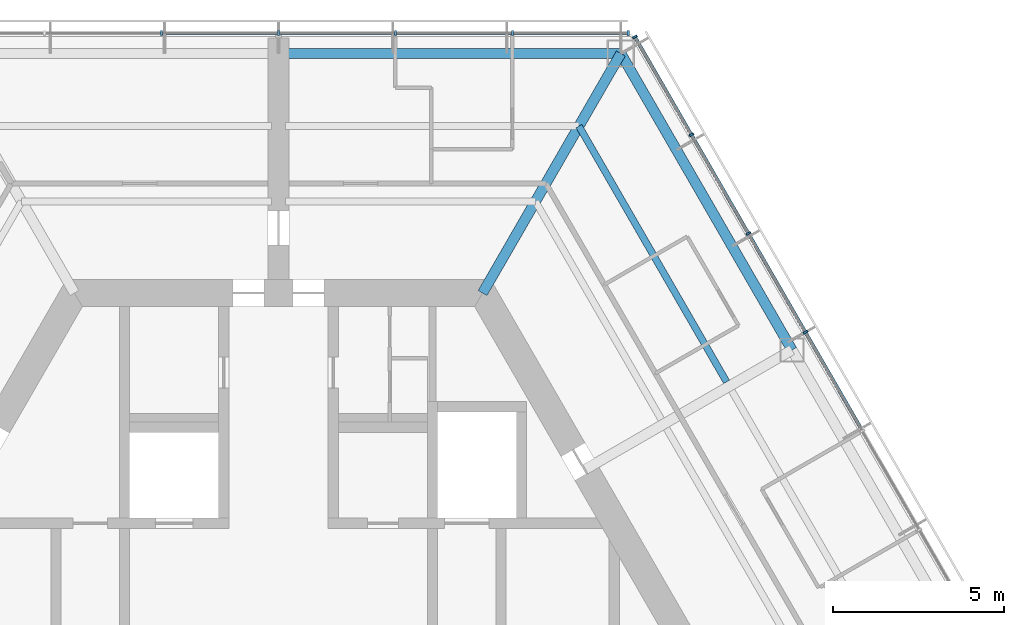
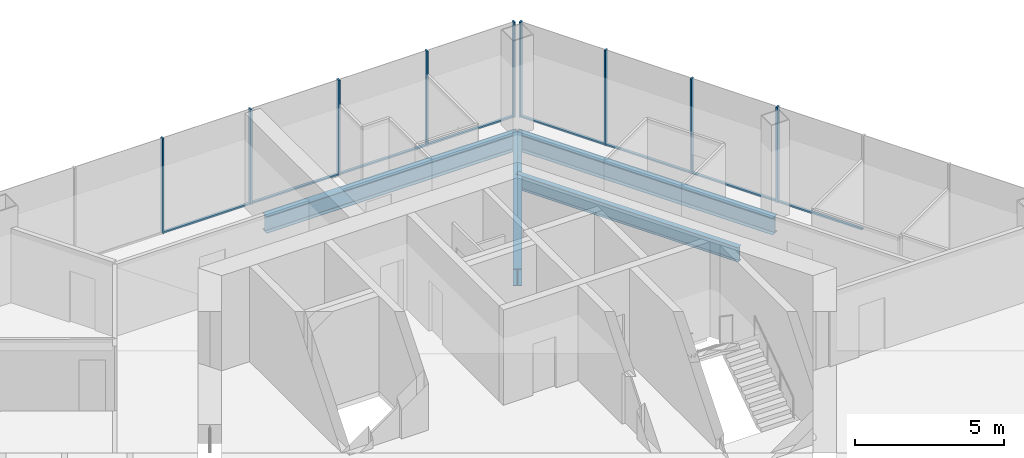
# One storey, part 7 of 17: 17 members, 4 beams, 2 elements without a shape of their own.
"""IFC4 building model written with IfcOpenShell, lengths in metres."""

from ifc_helpers import new_model, si_unit, direction, frame, origin, origin_2d, place, context, subcontext, project, spatial, rectangle, i_section, extrude, material, material_profile, profile_set, type_object, element, aggregate, save


model = new_model("IFC4")

# Units and contexts
model_context = context("Model", 3, precision=1e-05, world=origin(), true_north=direction((0.0, 1.0)))
body_context = subcontext(model_context, "Body", "Model", "MODEL_VIEW")
ifc_project = project(units=[si_unit("LENGTHUNIT", "METRE"), si_unit("AREAUNIT", "SQUARE_METRE"), si_unit("VOLUMEUNIT", "CUBIC_METRE"), si_unit("PLANEANGLEUNIT", "RADIAN"), si_unit("MASSUNIT", "GRAM", prefix="KILO")], contexts=[model_context])

# Site, building, storey
site_placement = place(None, origin())
site = spatial("IfcSite", under=ifc_project, at=site_placement, CompositionType="ELEMENT")
building_placement = place(site_placement, origin())
building = spatial("IfcBuilding", under=site, at=building_placement, Name="Kasaneha Research Tower", CompositionType="ELEMENT")
storey_placement = place(building_placement, frame((0.0, 0.0, 232.300048828125)))
storey = spatial("IfcBuildingStorey", under=building, at=storey_placement, Name="L58", CompositionType="ELEMENT", Elevation=232.300048828125)

# Beam
ifc_material_1 = material(Name="Steel SN490B", Category="steel")
ifc_material_profile_1 = material_profile(ifc_material_1, i_section(OverallWidth=0.199951171875, OverallDepth=0.60009765625, WebThickness=0.010986328125, FlangeThickness=0.01708984375, FilletRadius=0.012939453125, at=origin_2d()), Name="H-600x200x11x17")
ifc_profile_set_1 = profile_set([ifc_material_profile_1], Name="Steel SN490B")
beam_type_1 = type_object("IfcBeamType", Name="B1-3 secondary beam H-600x200x11x17", PredefinedType="JOIST", material=ifc_profile_set_1)
beam_1_placement = place(storey_placement, frame((8.775634765625, 15.199951171875, -0.449951171875), z_axis=(0.500017275495, -0.866015429543, 0.0), x_axis=(0.866015429543, 0.500017275495, 0.0)))
element("IfcBeam", 1, at=beam_1_placement, inside=storey, type_object=beam_type_1, Name="Secondary beam RS030R2 L58", PredefinedType="JOIST", context=body_context, shape_type="SweptSolid", body=[
    extrude(i_section(OverallWidth=0.199951171875, OverallDepth=0.60009765625, WebThickness=0.010986328125, FlangeThickness=0.01708984375, FilletRadius=0.012939453125, at=origin_2d()), origin(), (0.0, 0.0, 1.0), 8.625732421875),
])

# Curtain wall, members
ifc_material_2 = material(Name="Glass and aluminium", Category="aluminium")
curtain_wall_type = type_object("IfcCurtainWallType", Name="High-rise office curtain wall", PredefinedType="USERDEFINED", material=ifc_material_2)
curtain_wall_1_placement = place(storey_placement, origin())
curtain_wall_1 = element("IfcCurtainWall", 2, at=curtain_wall_1_placement, inside=storey, type_object=curtain_wall_type, Name="CW-O3 L58 run 01a", ObjectType="UNITISED CURTAIN WALL", PredefinedType="USERDEFINED")
ifc_material_3 = material(Name="Aluminium 6063-T6", Category="aluminium")
ifc_material_profile_2 = material_profile(ifc_material_3, rectangle(XDim=0.06005859375, YDim=0.139892578125, at=origin_2d()), Name="CW-O3 mullion 60x140")
ifc_profile_set_2 = profile_set([ifc_material_profile_2], Name="Aluminium 6063-T6")
member_type_1 = type_object("IfcMemberType", Name="CW-O3 mullion", PredefinedType="MULLION", material=ifc_profile_set_2)
member_1_placement = place(storey_placement, frame((15.392822265625, 9.179931640625, 0.0), z_axis=(0.0, 0.0, 1.0), x_axis=(-0.499999979232, 0.866025415775, 0.0)))
member_1 = element("IfcMember", 3, at=member_1_placement, type_object=member_type_1, Name="CW-O3 mullion 4", PredefinedType="MULLION", context=body_context, shape_type="SweptSolid", body=[
    extrude(rectangle(XDim=0.06005859375, YDim=0.139892578125, at=origin_2d()), origin(), (0.0, 0.0, 1.0), 3.89990234375),
])
member_2_placement = place(storey_placement, frame((13.727294921875, 12.064453125, 0.0), z_axis=(0.0, 0.0, 1.0), x_axis=(-0.499999979232, 0.866025415775, 0.0)))
member_2 = element("IfcMember", 4, at=member_2_placement, type_object=member_type_1, Name="CW-O3 mullion 5", PredefinedType="MULLION", context=body_context, shape_type="SweptSolid", body=[
    extrude(rectangle(XDim=0.06005859375, YDim=0.139892578125, at=origin_2d()), origin(), (0.0, 0.0, 1.0), 3.89990234375),
])
member_3_placement = place(storey_placement, frame((12.061767578125, 14.94921875, 0.0), z_axis=(0.0, 0.0, 1.0), x_axis=(-0.499999979232, 0.866025415775, 0.0)))
member_3 = element("IfcMember", 5, at=member_3_placement, type_object=member_type_1, Name="CW-O3 mullion 6", PredefinedType="MULLION", context=body_context, shape_type="SweptSolid", body=[
    extrude(rectangle(XDim=0.06005859375, YDim=0.139892578125, at=origin_2d()), origin(), (0.0, 0.0, 1.0), 3.89990234375),
])
member_4_placement = place(storey_placement, frame((10.411376953125, 17.807861328125, 0.0), z_axis=(0.0, 0.0, 1.0), x_axis=(-0.499999979232, 0.866025415775, 0.0)))
member_4 = element("IfcMember", 6, at=member_4_placement, type_object=member_type_1, Name="CW-O3 mullion 7", PredefinedType="MULLION", context=body_context, shape_type="SweptSolid", body=[
    extrude(rectangle(XDim=0.06005859375, YDim=0.139892578125, at=origin_2d()), origin(), (0.0, 0.0, 1.0), 3.89990234375),
])

curtain_wall_2_placement = place(storey_placement, origin())
curtain_wall_2 = element("IfcCurtainWall", 7, at=curtain_wall_2_placement, inside=storey, type_object=curtain_wall_type, Name="CW-O3 L58 run 02a", ObjectType="UNITISED CURTAIN WALL", PredefinedType="USERDEFINED")
member_5_placement = place(storey_placement, frame((10.21630859375, 17.92041015625, 0.0), z_axis=(0.0, 0.0, 1.0), x_axis=(-1.0, 0.0, 0.0)))
member_5 = element("IfcMember", 8, at=member_5_placement, type_object=member_type_1, Name="CW-O3 mullion 1", PredefinedType="MULLION", context=body_context, shape_type="SweptSolid", body=[
    extrude(rectangle(XDim=0.06005859375, YDim=0.139892578125, at=origin_2d()), origin(), (0.0, 0.0, 1.0), 3.89990234375),
])
member_6_placement = place(storey_placement, frame((6.8310546875, 17.92041015625, 0.0), z_axis=(0.0, 0.0, 1.0), x_axis=(-1.0, 0.0, 0.0)))
member_6 = element("IfcMember", 9, at=member_6_placement, type_object=member_type_1, Name="CW-O3 mullion 2", PredefinedType="MULLION", context=body_context, shape_type="SweptSolid", body=[
    extrude(rectangle(XDim=0.06005859375, YDim=0.139892578125, at=origin_2d()), origin(), (0.0, 0.0, 1.0), 3.89990234375),
])
member_7_placement = place(storey_placement, frame((3.41552734375, 17.92041015625, 0.0), z_axis=(0.0, 0.0, 1.0), x_axis=(-1.0, 0.0, 0.0)))
member_7 = element("IfcMember", 10, at=member_7_placement, type_object=member_type_1, Name="CW-O3 mullion 3", PredefinedType="MULLION", context=body_context, shape_type="SweptSolid", body=[
    extrude(rectangle(XDim=0.06005859375, YDim=0.139892578125, at=origin_2d()), origin(), (0.0, 0.0, 1.0), 3.89990234375),
])
member_8_placement = place(storey_placement, frame((0.0, 17.92041015625, 0.0), z_axis=(0.0, 0.0, 1.0), x_axis=(-1.0, 0.0, 0.0)))
member_8 = element("IfcMember", 11, at=member_8_placement, type_object=member_type_1, Name="CW-O3 mullion 4", PredefinedType="MULLION", context=body_context, shape_type="SweptSolid", body=[
    extrude(rectangle(XDim=0.06005859375, YDim=0.139892578125, at=origin_2d()), origin(), (0.0, 0.0, 1.0), 3.89990234375),
])
member_9_placement = place(storey_placement, frame((-3.41552734375, 17.92041015625, 0.0), z_axis=(0.0, 0.0, 1.0), x_axis=(-1.0, 0.0, 0.0)))
member_9 = element("IfcMember", 12, at=member_9_placement, type_object=member_type_1, Name="CW-O3 mullion 5", PredefinedType="MULLION", context=body_context, shape_type="SweptSolid", body=[
    extrude(rectangle(XDim=0.06005859375, YDim=0.139892578125, at=origin_2d()), origin(), (0.0, 0.0, 1.0), 3.89990234375),
])

# Member
ifc_material_4 = material(Name="Aluminium 6063-T6", Category="aluminium")
ifc_material_profile_3 = material_profile(ifc_material_4, rectangle(XDim=0.10009765625, YDim=0.06005859375, at=origin_2d()), Name="CW-O3 transom 100x60")
ifc_profile_set_3 = profile_set([ifc_material_profile_3], Name="Aluminium 6063-T6")
member_type_2 = type_object("IfcMemberType", Name="CW-O3 transom", PredefinedType="USERDEFINED", material=ifc_profile_set_3)
member_10_placement = place(storey_placement, frame((17.043212890625, 6.3212890625, 0.030029296875), z_axis=(-0.50003259116, 0.866006586452, 0.0), x_axis=(-0.866006586452, -0.50003259116, 0.0)))
member_10 = element("IfcMember", 13, at=member_10_placement, type_object=member_type_2, Name="CW-O3 transom 3", ObjectType="TRANSOM", PredefinedType="USERDEFINED", context=body_context, shape_type="SweptSolid", body=[
    extrude(rectangle(XDim=0.10009765625, YDim=0.06005859375, at=origin_2d()), origin(), (0.0, 0.0, 1.0), 3.270751953125),
])

member_11_placement = place(storey_placement, frame((15.3779296875, 9.205810546875, 0.030029296875), z_axis=(-0.500000270186, 0.866025247793, 0.0), x_axis=(-0.866025247793, -0.500000270186, 0.0)))
member_11 = element("IfcMember", 14, at=member_11_placement, type_object=member_type_2, Name="CW-O3 transom 4", ObjectType="TRANSOM", PredefinedType="USERDEFINED", context=body_context, shape_type="SweptSolid", body=[
    extrude(rectangle(XDim=0.10009765625, YDim=0.06005859375, at=origin_2d()), origin(), (0.0, 0.0, 1.0), 3.27099609375),
])

member_12_placement = place(storey_placement, frame((13.71240234375, 12.090576171875, 0.030029296875), z_axis=(-0.500000270186, 0.866025247793, 0.0), x_axis=(-0.866025247793, -0.500000270186, 0.0)))
member_12 = element("IfcMember", 15, at=member_12_placement, type_object=member_type_2, Name="CW-O3 transom 5", ObjectType="TRANSOM", PredefinedType="USERDEFINED", context=body_context, shape_type="SweptSolid", body=[
    extrude(rectangle(XDim=0.10009765625, YDim=0.06005859375, at=origin_2d()), origin(), (0.0, 0.0, 1.0), 3.27099609375),
])

member_13_placement = place(storey_placement, frame((12.046875, 14.97509765625, 0.030029296875), z_axis=(-0.499955025697, 0.866051368154, 0.0), x_axis=(-0.866051368154, -0.499955025697, 0.0)))
member_13 = element("IfcMember", 16, at=member_13_placement, type_object=member_type_2, Name="CW-O3 transom 6", ObjectType="TRANSOM", PredefinedType="USERDEFINED", context=body_context, shape_type="SweptSolid", body=[
    extrude(rectangle(XDim=0.10009765625, YDim=0.06005859375, at=origin_2d()), origin(), (0.0, 0.0, 1.0), 3.240966796875),
])

aggregate(curtain_wall_1, [member_1, member_2, member_3, member_4, member_10, member_11, member_12, member_13])

member_14_placement = place(storey_placement, frame((10.1865234375, 17.92041015625, 0.030029296875), z_axis=(-1.0, 0.0, 0.0), x_axis=(0.0, -1.0, 0.0)))
member_14 = element("IfcMember", 17, at=member_14_placement, type_object=member_type_2, Name="CW-O3 transom 1", ObjectType="TRANSOM", PredefinedType="USERDEFINED", context=body_context, shape_type="SweptSolid", body=[
    extrude(rectangle(XDim=0.10009765625, YDim=0.06005859375, at=origin_2d()), origin(), (0.0, 0.0, 1.0), 3.32568359375),
])

member_15_placement = place(storey_placement, frame((6.801025390625, 17.92041015625, 0.030029296875), z_axis=(-1.0, 0.0, 0.0), x_axis=(0.0, -1.0, 0.0)))
member_15 = element("IfcMember", 18, at=member_15_placement, type_object=member_type_2, Name="CW-O3 transom 2", ObjectType="TRANSOM", PredefinedType="USERDEFINED", context=body_context, shape_type="SweptSolid", body=[
    extrude(rectangle(XDim=0.10009765625, YDim=0.06005859375, at=origin_2d()), origin(), (0.0, 0.0, 1.0), 3.35546875),
])

member_16_placement = place(storey_placement, frame((3.385498046875, 17.92041015625, 0.030029296875), z_axis=(-1.0, 0.0, 0.0), x_axis=(0.0, -1.0, 0.0)))
member_16 = element("IfcMember", 19, at=member_16_placement, type_object=member_type_2, Name="CW-O3 transom 3", ObjectType="TRANSOM", PredefinedType="USERDEFINED", context=body_context, shape_type="SweptSolid", body=[
    extrude(rectangle(XDim=0.10009765625, YDim=0.06005859375, at=origin_2d()), origin(), (0.0, 0.0, 1.0), 3.35546875),
])

member_17_placement = place(storey_placement, frame((-0.030029296875, 17.92041015625, 0.030029296875), z_axis=(-1.0, 0.0, 0.0), x_axis=(0.0, -1.0, 0.0)))
member_17 = element("IfcMember", 20, at=member_17_placement, type_object=member_type_2, Name="CW-O3 transom 4", ObjectType="TRANSOM", PredefinedType="USERDEFINED", context=body_context, shape_type="SweptSolid", body=[
    extrude(rectangle(XDim=0.10009765625, YDim=0.06005859375, at=origin_2d()), origin(), (0.0, 0.0, 1.0), 3.35546875),
])

aggregate(curtain_wall_2, [member_5, member_6, member_7, member_8, member_9, member_14, member_15, member_16, member_17])

# Beams
ifc_material_5 = material(Name="Steel SN490B", Category="steel")
ifc_material_profile_4 = material_profile(ifc_material_5, i_section(OverallWidth=0.300048828125, OverallDepth=0.699951171875, WebThickness=0.012939453125, FlangeThickness=0.02392578125, FilletRadius=0.01806640625, at=origin_2d()), Name="H-700x300x13x24")
ifc_profile_set_4 = profile_set([ifc_material_profile_4], Name="Steel SN490B")
beam_type_2 = type_object("IfcBeamType", Name="G1-3 radial girder H-700x300x13x24", PredefinedType="BEAM", material=ifc_profile_set_4)
beam_2_placement = place(storey_placement, frame((5.961181640625, 10.324951171875, -0.5), z_axis=(0.49999105496, 0.866030568144, 0.0), x_axis=(-0.866030568144, 0.49999105496, 0.0)))
element("IfcBeam", 21, at=beam_2_placement, inside=storey, type_object=beam_type_2, Name="Radial girder RV060 L58", PredefinedType="BEAM", context=body_context, shape_type="SweptSolid", body=[
    extrude(i_section(OverallWidth=0.300048828125, OverallDepth=0.699951171875, WebThickness=0.012939453125, FlangeThickness=0.02392578125, FilletRadius=0.01806640625, at=origin_2d()), origin(), (0.0, 0.0, 1.0), 8.077880859375),
])
ifc_material_6 = material(Name="Steel SN490B", Category="steel")
ifc_material_profile_5 = material_profile(ifc_material_6, i_section(OverallWidth=0.300048828125, OverallDepth=0.69189453125, WebThickness=0.012939453125, FlangeThickness=0.02001953125, FilletRadius=0.01806640625, at=origin_2d()), Name="H-692x300x13x20")
ifc_profile_set_5 = profile_set([ifc_material_profile_5], Name="Steel SN490B")
beam_type_3 = type_object("IfcBeamType", Name="G3-3 plate edge girder H-692x300x13x20", PredefinedType="BEAM", material=ifc_profile_set_5)
beam_3_placement = place(storey_placement, frame((10.0, 17.320556640625, -0.49609375), z_axis=(-1.0, 0.0, 0.0), x_axis=(0.0, -1.0, 0.0)))
element("IfcBeam", 22, at=beam_3_placement, inside=storey, type_object=beam_type_3, Name="Plate edge girder PEAP L58", PredefinedType="BEAM", context=body_context, shape_type="SweptSolid", body=[
    extrude(i_section(OverallWidth=0.300048828125, OverallDepth=0.69189453125, WebThickness=0.012939453125, FlangeThickness=0.02001953125, FilletRadius=0.01806640625, at=origin_2d()), origin(), (0.0, 0.0, 1.0), 9.800048828125),
])
ifc_material_7 = material(Name="Steel SN490B", Category="steel")
ifc_material_profile_6 = material_profile(ifc_material_7, i_section(OverallWidth=0.300048828125, OverallDepth=0.69189453125, WebThickness=0.012939453125, FlangeThickness=0.02001953125, FilletRadius=0.01806640625, at=origin_2d()), Name="H-692x300x13x20")
ifc_profile_set_6 = profile_set([ifc_material_profile_6], Name="Steel SN490B")
beam_type_4 = type_object("IfcBeamType", Name="SB1-3 spandrel beam H-692x300x13x20", PredefinedType="SPANDREL", material=ifc_profile_set_6)
beam_4_placement = place(storey_placement, frame((10.0, 17.320556640625, -0.49609375), z_axis=(0.499993662806, -0.866029062534, 0.0), x_axis=(0.866029062534, 0.499993662806, 0.0)))
element("IfcBeam", 23, at=beam_4_placement, inside=storey, type_object=beam_type_4, Name="Spandrel beam SR030R L58", PredefinedType="SPANDREL", context=body_context, shape_type="SweptSolid", body=[
    extrude(i_section(OverallWidth=0.300048828125, OverallDepth=0.69189453125, WebThickness=0.012939453125, FlangeThickness=0.02001953125, FilletRadius=0.01806640625, at=origin_2d()), origin(), (0.0, 0.0, 1.0), 10.000244140625),
])

save(model, "model.ifc")
